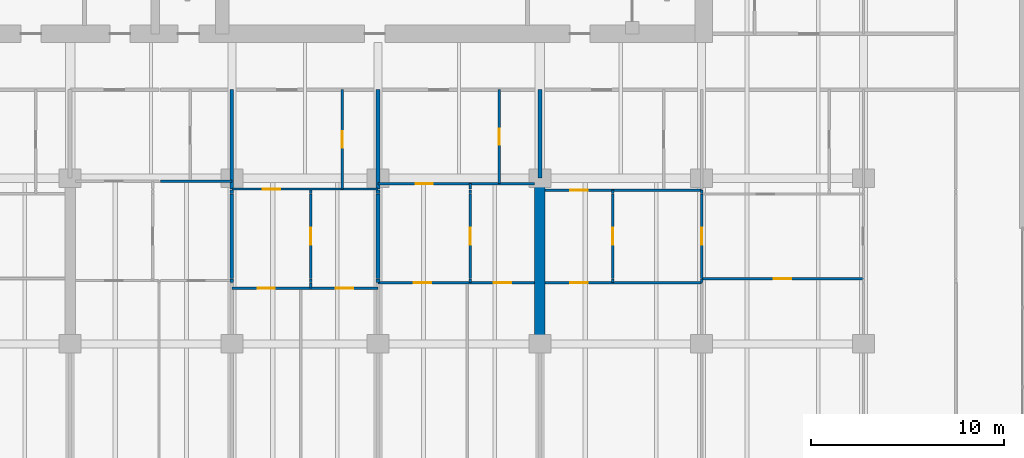
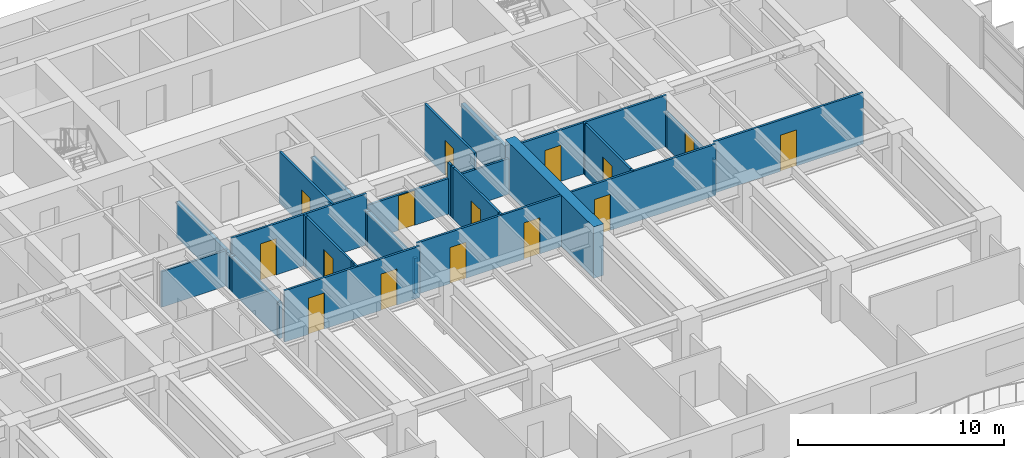
# One storey, part 9 of 18: 34 walls, 15 doors, 15 openings.
"""IFC4 building model written with IfcOpenShell, lengths in metres."""

from ifc_helpers import new_model, si_unit, direction, frame, frame_2d, origin, place, context, subcontext, project, spatial, rectangle, extrude, material, layer, layer_set, type_object, element, fill, save


model = new_model("IFC4")

# Units and contexts
model_context = context("Model", 3, precision=1e-05, world=origin(), true_north=direction((0.0, 1.0)))
body_context = subcontext(model_context, "Body", "Model", "MODEL_VIEW")
ifc_project = project(units=[si_unit("LENGTHUNIT", "METRE"), si_unit("AREAUNIT", "SQUARE_METRE"), si_unit("VOLUMEUNIT", "CUBIC_METRE"), si_unit("PLANEANGLEUNIT", "RADIAN"), si_unit("MASSUNIT", "GRAM", prefix="KILO")], contexts=[model_context])

# Site, building, storey
site_placement = place(None, origin())
site = spatial("IfcSite", under=ifc_project, at=site_placement, CompositionType="ELEMENT")
building_placement = place(site_placement, origin())
building = spatial("IfcBuilding", under=site, at=building_placement, Name="Caelmar Bay Residences", CompositionType="ELEMENT")
storey_placement = place(building_placement, frame((0.0, 0.0, 43.199951171875)))
storey = spatial("IfcBuildingStorey", under=building, at=storey_placement, Name="L10", CompositionType="ELEMENT", Elevation=43.199951171875)

# Walls
ifc_material_1 = material(Name="Concrete f'c 70 MPa (10,000 psi)", Category="concrete")
ifc_layer_1 = layer(ifc_material_1, 0.550048828125)
ifc_layer_set_1 = layer_set([ifc_layer_1], Name="Concrete f'c 70 MPa (10,000 psi)")
wall_type_1 = type_object("IfcWallType", Name="SW-XSLB-550", PredefinedType="SHEAR", material=ifc_layer_set_1)
wall_1_placement = place(storey_placement, frame((51.10009765625, 20.800048828125, 0.0), z_axis=(0.0, 0.0, 1.0), x_axis=(0.0, 1.0, 0.0)))
element("IfcWall", 1, at=wall_1_placement, inside=storey, type_object=wall_type_1, Name="L10 Transverse Cross-Slab Shear Wall E8", PredefinedType="SHEAR", context=body_context, shape_type="SweptSolid", body=[
    extrude(rectangle(XDim=8.599853515625, YDim=0.550048828125, at=frame_2d((4.2998046875, 0.0))), origin(), (0.0, 0.0, 1.0), 3.050048828125),
])
ifc_material_2 = material(Name="Acoustic metal-stud gypsum partition 120 mm")
ifc_layer_2 = layer(ifc_material_2, 0.1201171875)
ifc_layer_set_2 = layer_set([ifc_layer_2], Name="Acoustic metal-stud gypsum partition 120 mm")
wall_type_2 = type_object("IfcWallType", Name="W-PRT-120", PredefinedType="PARTITIONING", material=ifc_layer_set_2)
wall_2_placement = place(storey_placement, frame((39.2041015625, 23.68994140625, 0.0), z_axis=(0.0, 0.0, 1.0), x_axis=(0.0, 1.0, 0.0)))
element("IfcWall", 2, at=wall_2_placement, inside=storey, type_object=wall_type_2, Name="L10 Partition Wall V055", PredefinedType="PARTITIONING", context=body_context, shape_type="SweptSolid", body=[
    extrude(rectangle(XDim=0.280029296875, YDim=0.1201171875, at=frame_2d((0.14013671875, 0.0))), origin(), (0.0, 0.0, 1.0), 3.050048828125),
])
wall_3_placement = place(storey_placement, frame((39.2041015625, 24.0, 0.0), z_axis=(0.0, 0.0, 1.0), x_axis=(0.0, 1.0, 0.0)))
element("IfcWall", 3, at=wall_3_placement, inside=storey, type_object=wall_type_2, Name="L10 Partition Wall V056", PredefinedType="PARTITIONING", context=body_context, shape_type="SweptSolid", body=[
    extrude(rectangle(XDim=0.179931640625, YDim=0.1201171875, at=frame_2d((0.08984375, 0.0))), origin(), (0.0, 0.0, 1.0), 3.050048828125),
])

# Wall, opening, door
wall_4_placement = place(storey_placement, frame((39.2041015625, 24.199951171875, 0.0), z_axis=(0.0, 0.0, 1.0), x_axis=(0.0, 1.0, 0.0)))
wall_4 = element("IfcWall", 4, at=wall_4_placement, inside=storey, type_object=wall_type_2, Name="L10 Partition Wall V057", PredefinedType="PARTITIONING", context=body_context, shape_type="SweptSolid", body=[
    extrude(rectangle(XDim=4.380126953125, YDim=0.1201171875, at=frame_2d((2.18994140625, 0.0))), origin(), (0.0, 0.0, 1.0), 3.050048828125),
])
opening_1_placement = place(wall_4_placement, frame((1.739990234375, 0.0, 0.0)))
opening_1 = element("IfcOpeningElement", 5, at=opening_1_placement, cuts=wall_4, Name="Opening D-L10-144", PredefinedType="OPENING", context=body_context, shape_type="SweptSolid", body=[
    extrude(rectangle(XDim=0.89990234375, YDim=2.14990234375, at=frame_2d((0.449951171875, 1.074951171875))), frame((0.0, 0.070068359375, 0.0), z_axis=(0.0, -1.0, 0.0), x_axis=(1.0, 0.0, 0.0)), (0.0, 0.0, 1.0), 0.14013671875),
])
ifc_material_3 = material(Name="Solid walnut timber interior door leaf and frame", Category="wood")
ifc_layer_3 = layer(ifc_material_3, 0.050048828125)
ifc_layer_set_3 = layer_set([ifc_layer_3], Name="Solid walnut timber interior door leaf and frame")
door_type_1 = type_object("IfcDoorType", Name="D-ROOM-900", OperationType="NOTDEFINED", PredefinedType="DOOR", material=ifc_layer_set_3)
door_1_placement = place(opening_1_placement, origin())
door_1 = element("IfcDoor", 6, at=door_1_placement, inside=storey, type_object=door_type_1, Name="L10 Residence 03 Home Office Door", OperationType="SINGLE_SWING_LEFT", OverallHeight=2.14990234375, OverallWidth=0.89990234375, PredefinedType="DOOR", context=body_context, shape_type="SweptSolid", body=[
    extrude(rectangle(XDim=0.89990234375, YDim=2.14990234375, at=frame_2d((0.449951171875, 1.074951171875))), frame((0.0, 0.02490234375, 0.0), z_axis=(0.0, -1.0, 0.0), x_axis=(1.0, 0.0, 0.0)), (0.0, 0.0, 1.0), 0.050048828125),
])
fill(opening_1, door_1)

# Wall
wall_5_placement = place(storey_placement, frame((39.2041015625, 28.60009765625, 0.0), z_axis=(0.0, 0.0, 1.0), x_axis=(0.0, 1.0, 0.0)))
element("IfcWall", 7, at=wall_5_placement, inside=storey, type_object=wall_type_2, Name="L10 Partition Wall V058", PredefinedType="PARTITIONING", context=body_context, shape_type="SweptSolid", body=[
    extrude(rectangle(XDim=0.179931640625, YDim=0.1201171875, at=frame_2d((0.08984375, 0.0))), origin(), (0.0, 0.0, 1.0), 3.050048828125),
])

# Wall, opening, door
wall_6_placement = place(storey_placement, frame((40.840087890625, 28.840087890625, 0.0), z_axis=(0.0, 0.0, 1.0), x_axis=(0.0, 1.0, 0.0)))
wall_6 = element("IfcWall", 8, at=wall_6_placement, inside=storey, type_object=wall_type_2, Name="L10 Partition Wall V060", PredefinedType="PARTITIONING", context=body_context, shape_type="SweptSolid", body=[
    extrude(rectangle(XDim=5.159912109375, YDim=0.1201171875, at=frame_2d((2.580078125, 0.0))), origin(), (0.0, 0.0, 1.0), 3.050048828125),
])
opening_2_placement = place(wall_6_placement, frame((2.155029296875, 0.0, 0.0)))
opening_2 = element("IfcOpeningElement", 9, at=opening_2_placement, cuts=wall_6, Name="Opening D-L10-142", PredefinedType="OPENING", context=body_context, shape_type="SweptSolid", body=[
    extrude(rectangle(XDim=0.85009765625, YDim=2.10009765625, at=frame_2d((0.425048828125, 1.050048828125))), frame((0.0, 0.070068359375, 0.0), z_axis=(0.0, -1.0, 0.0), x_axis=(1.0, 0.0, 0.0)), (0.0, 0.0, 1.0), 0.14013671875),
])
ifc_layer_4 = layer(ifc_material_3, 0.050048828125)
ifc_layer_set_4 = layer_set([ifc_layer_4], Name="Solid walnut timber interior door leaf and frame")
door_type_2 = type_object("IfcDoorType", Name="D-BATH-850", OperationType="NOTDEFINED", PredefinedType="DOOR", material=ifc_layer_set_4)
door_2_placement = place(opening_2_placement, origin())
door_2 = element("IfcDoor", 10, at=door_2_placement, inside=storey, type_object=door_type_2, Name="L10 Residence 03 Bathroom Door", OperationType="SINGLE_SWING_LEFT", OverallHeight=2.10009765625, OverallWidth=0.85009765625, PredefinedType="DOOR", context=body_context, shape_type="SweptSolid", body=[
    extrude(rectangle(XDim=0.85009765625, YDim=2.10009765625, at=frame_2d((0.425048828125, 1.050048828125))), frame((0.0, 0.02490234375, 0.0), z_axis=(0.0, -1.0, 0.0), x_axis=(1.0, 0.0, 0.0)), (0.0, 0.0, 1.0), 0.050048828125),
])
fill(opening_2, door_2)

# Wall
wall_7_placement = place(storey_placement, frame((47.486083984375, 24.0, 0.0), z_axis=(0.0, 0.0, 1.0), x_axis=(0.0, 1.0, 0.0)))
element("IfcWall", 11, at=wall_7_placement, inside=storey, type_object=wall_type_2, Name="L10 Partition Wall V072", PredefinedType="PARTITIONING", context=body_context, shape_type="SweptSolid", body=[
    extrude(rectangle(XDim=0.179931640625, YDim=0.1201171875, at=frame_2d((0.08984375, 0.0))), origin(), (0.0, 0.0, 1.0), 3.050048828125),
])

# Wall, opening, door
wall_8_placement = place(storey_placement, frame((47.486083984375, 24.199951171875, 0.0), z_axis=(0.0, 0.0, 1.0), x_axis=(0.0, 1.0, 0.0)))
wall_8 = element("IfcWall", 12, at=wall_8_placement, inside=storey, type_object=wall_type_2, Name="L10 Partition Wall V073", PredefinedType="PARTITIONING", context=body_context, shape_type="SweptSolid", body=[
    extrude(rectangle(XDim=4.380126953125, YDim=0.1201171875, at=frame_2d((2.18994140625, 0.0))), origin(), (0.0, 0.0, 1.0), 3.050048828125),
])
opening_3_placement = place(wall_8_placement, frame((1.739990234375, 0.0, 0.0)))
opening_3 = element("IfcOpeningElement", 13, at=opening_3_placement, cuts=wall_8, Name="Opening D-L10-151", PredefinedType="OPENING", context=body_context, shape_type="SweptSolid", body=[
    extrude(rectangle(XDim=0.89990234375, YDim=2.14990234375, at=frame_2d((0.449951171875, 1.074951171875))), frame((0.0, 0.070068359375, 0.0), z_axis=(0.0, -1.0, 0.0), x_axis=(1.0, 0.0, 0.0)), (0.0, 0.0, 1.0), 0.14013671875),
])
door_3_placement = place(opening_3_placement, origin())
door_3 = element("IfcDoor", 14, at=door_3_placement, inside=storey, type_object=door_type_1, Name="L10 Residence 04 Home Office Door", OperationType="SINGLE_SWING_RIGHT", OverallHeight=2.14990234375, OverallWidth=0.89990234375, PredefinedType="DOOR", context=body_context, shape_type="SweptSolid", body=[
    extrude(rectangle(XDim=0.89990234375, YDim=2.14990234375, at=frame_2d((0.449951171875, 1.074951171875))), frame((0.0, 0.02490234375, 0.0), z_axis=(0.0, -1.0, 0.0), x_axis=(1.0, 0.0, 0.0)), (0.0, 0.0, 1.0), 0.050048828125),
])
fill(opening_3, door_3)

# Walls
wall_9_placement = place(storey_placement, frame((47.486083984375, 28.60009765625, 0.0), z_axis=(0.0, 0.0, 1.0), x_axis=(0.0, 1.0, 0.0)))
element("IfcWall", 15, at=wall_9_placement, inside=storey, type_object=wall_type_2, Name="L10 Partition Wall V074", PredefinedType="PARTITIONING", context=body_context, shape_type="SweptSolid", body=[
    extrude(rectangle(XDim=0.179931640625, YDim=0.1201171875, at=frame_2d((0.08984375, 0.0))), origin(), (0.0, 0.0, 1.0), 3.050048828125),
])
wall_10_placement = place(storey_placement, frame((47.486083984375, 28.840087890625, 0.0), z_axis=(0.0, 0.0, 1.0), x_axis=(0.0, 1.0, 0.0)))
element("IfcWall", 16, at=wall_10_placement, inside=storey, type_object=wall_type_2, Name="L10 Partition Wall V075", PredefinedType="PARTITIONING", context=body_context, shape_type="SweptSolid", body=[
    extrude(rectangle(XDim=0.280029296875, YDim=0.1201171875, at=frame_2d((0.14013671875, 0.0))), origin(), (0.0, 0.0, 1.0), 3.050048828125),
])

# Wall, opening, door
wall_11_placement = place(storey_placement, frame((48.989013671875, 29.1201171875, 0.0), z_axis=(0.0, 0.0, 1.0), x_axis=(0.0, 1.0, 0.0)))
wall_11 = element("IfcWall", 17, at=wall_11_placement, inside=storey, type_object=wall_type_2, Name="L10 Partition Wall V077", PredefinedType="PARTITIONING", context=body_context, shape_type="SweptSolid", body=[
    extrude(rectangle(XDim=4.8798828125, YDim=0.1201171875, at=frame_2d((2.43994140625, 0.0))), origin(), (0.0, 0.0, 1.0), 3.050048828125),
])
opening_4_placement = place(wall_11_placement, frame((2.014892578125, 0.0, 0.0)))
opening_4 = element("IfcOpeningElement", 18, at=opening_4_placement, cuts=wall_11, Name="Opening D-L10-149", PredefinedType="OPENING", context=body_context, shape_type="SweptSolid", body=[
    extrude(rectangle(XDim=0.85009765625, YDim=2.10009765625, at=frame_2d((0.425048828125, 1.050048828125))), frame((0.0, 0.070068359375, 0.0), z_axis=(0.0, -1.0, 0.0), x_axis=(1.0, 0.0, 0.0)), (0.0, 0.0, 1.0), 0.14013671875),
])
door_4_placement = place(opening_4_placement, origin())
door_4 = element("IfcDoor", 19, at=door_4_placement, inside=storey, type_object=door_type_2, Name="L10 Residence 04 Bathroom Door", OperationType="SINGLE_SWING_RIGHT", OverallHeight=2.10009765625, OverallWidth=0.85009765625, PredefinedType="DOOR", context=body_context, shape_type="SweptSolid", body=[
    extrude(rectangle(XDim=0.85009765625, YDim=2.10009765625, at=frame_2d((0.425048828125, 1.050048828125))), frame((0.0, 0.02490234375, 0.0), z_axis=(0.0, -1.0, 0.0), x_axis=(1.0, 0.0, 0.0)), (0.0, 0.0, 1.0), 0.050048828125),
])
fill(opening_4, door_4)

# Wall
wall_12_placement = place(storey_placement, frame((54.8798828125, 24.0, 0.0), z_axis=(0.0, 0.0, 1.0), x_axis=(0.0, 1.0, 0.0)))
element("IfcWall", 20, at=wall_12_placement, inside=storey, type_object=wall_type_2, Name="L10 Partition Wall V085", PredefinedType="PARTITIONING", context=body_context, shape_type="SweptSolid", body=[
    extrude(rectangle(XDim=0.179931640625, YDim=0.1201171875, at=frame_2d((0.08984375, 0.0))), origin(), (0.0, 0.0, 1.0), 3.050048828125),
])

# Wall, opening, door
wall_13_placement = place(storey_placement, frame((54.8798828125, 24.199951171875, 0.0), z_axis=(0.0, 0.0, 1.0), x_axis=(0.0, 1.0, 0.0)))
wall_13 = element("IfcWall", 21, at=wall_13_placement, inside=storey, type_object=wall_type_2, Name="L10 Partition Wall V086", PredefinedType="PARTITIONING", context=body_context, shape_type="SweptSolid", body=[
    extrude(rectangle(XDim=4.380126953125, YDim=0.1201171875, at=frame_2d((2.18994140625, 0.0))), origin(), (0.0, 0.0, 1.0), 3.050048828125),
])
opening_5_placement = place(wall_13_placement, frame((1.739990234375, 0.0, 0.0)))
opening_5 = element("IfcOpeningElement", 22, at=opening_5_placement, cuts=wall_13, Name="Opening D-L10-158", PredefinedType="OPENING", context=body_context, shape_type="SweptSolid", body=[
    extrude(rectangle(XDim=0.89990234375, YDim=2.14990234375, at=frame_2d((0.449951171875, 1.074951171875))), frame((0.0, 0.070068359375, 0.0), z_axis=(0.0, -1.0, 0.0), x_axis=(1.0, 0.0, 0.0)), (0.0, 0.0, 1.0), 0.14013671875),
])
door_5_placement = place(opening_5_placement, origin())
door_5 = element("IfcDoor", 23, at=door_5_placement, inside=storey, type_object=door_type_1, Name="L10 Residence 05 Kitchen Door", OperationType="SINGLE_SWING_LEFT", OverallHeight=2.14990234375, OverallWidth=0.89990234375, PredefinedType="DOOR", context=body_context, shape_type="SweptSolid", body=[
    extrude(rectangle(XDim=0.89990234375, YDim=2.14990234375, at=frame_2d((0.449951171875, 1.074951171875))), frame((0.0, 0.02490234375, 0.0), z_axis=(0.0, -1.0, 0.0), x_axis=(1.0, 0.0, 0.0)), (0.0, 0.0, 1.0), 0.050048828125),
])
fill(opening_5, door_5)

# Walls
wall_14_placement = place(storey_placement, frame((54.8798828125, 28.60009765625, 0.0), z_axis=(0.0, 0.0, 1.0), x_axis=(0.0, 1.0, 0.0)))
element("IfcWall", 24, at=wall_14_placement, inside=storey, type_object=wall_type_2, Name="L10 Partition Wall V087", PredefinedType="PARTITIONING", context=body_context, shape_type="SweptSolid", body=[
    extrude(rectangle(XDim=0.179931640625, YDim=0.1201171875, at=frame_2d((0.08984375, 0.0))), origin(), (0.0, 0.0, 1.0), 3.050048828125),
])
wall_15_placement = place(storey_placement, frame((59.5, 24.0, 0.0), z_axis=(0.0, 0.0, 1.0), x_axis=(0.0, 1.0, 0.0)))
element("IfcWall", 25, at=wall_15_placement, inside=storey, type_object=wall_type_2, Name="L10 Partition Wall V092", PredefinedType="PARTITIONING", context=body_context, shape_type="SweptSolid", body=[
    extrude(rectangle(XDim=0.179931640625, YDim=0.1201171875, at=frame_2d((0.08984375, 0.0))), origin(), (0.0, 0.0, 1.0), 2.110107421875),
])

# Wall, opening, door
wall_16_placement = place(storey_placement, frame((59.5, 24.199951171875, 0.0), z_axis=(0.0, 0.0, 1.0), x_axis=(0.0, 1.0, 0.0)))
wall_16 = element("IfcWall", 26, at=wall_16_placement, inside=storey, type_object=wall_type_2, Name="L10 Partition Wall V093", PredefinedType="PARTITIONING", context=body_context, shape_type="SweptSolid", body=[
    extrude(rectangle(XDim=4.380126953125, YDim=0.1201171875, at=frame_2d((2.18994140625, 0.0))), origin(), (0.0, 0.0, 1.0), 2.110107421875),
])
opening_6_placement = place(wall_16_placement, frame((1.739990234375, 0.0, 0.0)))
opening_6 = element("IfcOpeningElement", 27, at=opening_6_placement, cuts=wall_16, Name="Opening D-L10-160", PredefinedType="OPENING", context=body_context, shape_type="SweptSolid", body=[
    extrude(rectangle(XDim=0.89990234375, YDim=2.06005859375, at=frame_2d((0.449951171875, 1.030029296875))), frame((0.0, 0.070068359375, 0.0), z_axis=(0.0, -1.0, 0.0), x_axis=(1.0, 0.0, 0.0)), (0.0, 0.0, 1.0), 0.14013671875),
])
door_6_placement = place(opening_6_placement, origin())
door_6 = element("IfcDoor", 28, at=door_6_placement, inside=storey, type_object=door_type_1, Name="L10 Residence 05 Library Study 1 Door", OperationType="SINGLE_SWING_LEFT", OverallHeight=2.06005859375, OverallWidth=0.89990234375, PredefinedType="DOOR", context=body_context, shape_type="SweptSolid", body=[
    extrude(rectangle(XDim=0.89990234375, YDim=2.06005859375, at=frame_2d((0.449951171875, 1.030029296875))), frame((0.0, 0.02490234375, 0.0), z_axis=(0.0, -1.0, 0.0), x_axis=(1.0, 0.0, 0.0)), (0.0, 0.0, 1.0), 0.050048828125),
])
fill(opening_6, door_6)

# Wall
wall_17_placement = place(storey_placement, frame((59.5, 28.60009765625, 0.0), z_axis=(0.0, 0.0, 1.0), x_axis=(0.0, 1.0, 0.0)))
element("IfcWall", 29, at=wall_17_placement, inside=storey, type_object=wall_type_2, Name="L10 Partition Wall V094", PredefinedType="PARTITIONING", context=body_context, shape_type="SweptSolid", body=[
    extrude(rectangle(XDim=0.179931640625, YDim=0.1201171875, at=frame_2d((0.08984375, 0.0))), origin(), (0.0, 0.0, 1.0), 2.110107421875),
])

# Wall, openings, doors
wall_18_placement = place(storey_placement, frame((35.10009765625, 23.68994140625, 0.0), z_axis=(0.0, 0.0, 1.0), x_axis=(1.0, 0.0, 0.0)))
wall_18 = element("IfcWall", 30, at=wall_18_placement, inside=storey, type_object=wall_type_2, Name="L10 Partition Wall H118", PredefinedType="PARTITIONING", context=body_context, shape_type="SweptSolid", body=[
    extrude(rectangle(XDim=7.599853515625, YDim=0.1201171875, at=frame_2d((3.7998046875, 0.0))), origin(), (0.0, 0.0, 1.0), 3.050048828125),
])
opening_7_placement = place(wall_18_placement, frame((1.3359375, 0.0, 0.0)))
opening_7 = element("IfcOpeningElement", 31, at=opening_7_placement, cuts=wall_18, Name="Opening D-L10-145", PredefinedType="OPENING", context=body_context, shape_type="SweptSolid", body=[
    extrude(rectangle(XDim=0.89990234375, YDim=2.14990234375, at=frame_2d((0.449951171875, 1.074951171875))), frame((0.0, 0.070068359375, 0.0), z_axis=(0.0, -1.0, 0.0), x_axis=(1.0, 0.0, 0.0)), (0.0, 0.0, 1.0), 0.14013671875),
])
opening_8_placement = place(wall_18_placement, frame((5.402099609375, 0.0, 0.0)))
opening_8 = element("IfcOpeningElement", 32, at=opening_8_placement, cuts=wall_18, Name="Opening D-L10-146", PredefinedType="OPENING", context=body_context, shape_type="SweptSolid", body=[
    extrude(rectangle(XDim=0.89990234375, YDim=2.14990234375, at=frame_2d((0.449951171875, 1.074951171875))), frame((0.0, 0.070068359375, 0.0), z_axis=(0.0, -1.0, 0.0), x_axis=(1.0, 0.0, 0.0)), (0.0, 0.0, 1.0), 0.14013671875),
])
door_7_placement = place(opening_7_placement, origin())
door_7 = element("IfcDoor", 33, at=door_7_placement, inside=storey, type_object=door_type_1, Name="L10 Residence 03 Living Room Door", OperationType="SINGLE_SWING_RIGHT", OverallHeight=2.14990234375, OverallWidth=0.89990234375, PredefinedType="DOOR", context=body_context, shape_type="SweptSolid", body=[
    extrude(rectangle(XDim=0.89990234375, YDim=2.14990234375, at=frame_2d((0.449951171875, 1.074951171875))), frame((0.0, 0.02490234375, 0.0), z_axis=(0.0, -1.0, 0.0), x_axis=(1.0, 0.0, 0.0)), (0.0, 0.0, 1.0), 0.050048828125),
])
fill(opening_7, door_7)
door_8_placement = place(opening_8_placement, origin())
door_8 = element("IfcDoor", 34, at=door_8_placement, inside=storey, type_object=door_type_1, Name="L10 Residence 03 Penthouse Sitting Room Door", OperationType="SINGLE_SWING_LEFT", OverallHeight=2.14990234375, OverallWidth=0.89990234375, PredefinedType="DOOR", context=body_context, shape_type="SweptSolid", body=[
    extrude(rectangle(XDim=0.89990234375, YDim=2.14990234375, at=frame_2d((0.449951171875, 1.074951171875))), frame((0.0, 0.02490234375, 0.0), z_axis=(0.0, -1.0, 0.0), x_axis=(1.0, 0.0, 0.0)), (0.0, 0.0, 1.0), 0.050048828125),
])
fill(opening_8, door_8)

wall_19_placement = place(storey_placement, frame((42.699951171875, 23.969970703125, 0.0), z_axis=(0.0, 0.0, 1.0), x_axis=(1.0, 0.0, 0.0)))
wall_19 = element("IfcWall", 35, at=wall_19_placement, inside=storey, type_object=wall_type_2, Name="L10 Partition Wall H119", PredefinedType="PARTITIONING", context=body_context, shape_type="SweptSolid", body=[
    extrude(rectangle(XDim=8.130126953125, YDim=0.1201171875, at=frame_2d((4.06494140625, 0.0))), origin(), (0.0, 0.0, 1.0), 3.050048828125),
])
opening_9_placement = place(wall_19_placement, frame((1.860107421875, 0.0, 0.0)))
opening_9 = element("IfcOpeningElement", 36, at=opening_9_placement, cuts=wall_19, Name="Opening D-L10-152", PredefinedType="OPENING", context=body_context, shape_type="SweptSolid", body=[
    extrude(rectangle(XDim=0.89990234375, YDim=2.14990234375, at=frame_2d((0.449951171875, 1.074951171875))), frame((0.0, 0.070068359375, 0.0), z_axis=(0.0, -1.0, 0.0), x_axis=(1.0, 0.0, 0.0)), (0.0, 0.0, 1.0), 0.14013671875),
])
opening_10_placement = place(wall_19_placement, frame((6.008056640625, 0.0, 0.0)))
opening_10 = element("IfcOpeningElement", 37, at=opening_10_placement, cuts=wall_19, Name="Opening D-L10-153", PredefinedType="OPENING", context=body_context, shape_type="SweptSolid", body=[
    extrude(rectangle(XDim=0.89990234375, YDim=2.14990234375, at=frame_2d((0.449951171875, 1.074951171875))), frame((0.0, 0.070068359375, 0.0), z_axis=(0.0, -1.0, 0.0), x_axis=(1.0, 0.0, 0.0)), (0.0, 0.0, 1.0), 0.14013671875),
])
door_9_placement = place(opening_9_placement, origin())
door_9 = element("IfcDoor", 38, at=door_9_placement, inside=storey, type_object=door_type_1, Name="L10 Residence 04 Penthouse Living Salon Door", OperationType="SINGLE_SWING_LEFT", OverallHeight=2.14990234375, OverallWidth=0.89990234375, PredefinedType="DOOR", context=body_context, shape_type="SweptSolid", body=[
    extrude(rectangle(XDim=0.89990234375, YDim=2.14990234375, at=frame_2d((0.449951171875, 1.074951171875))), frame((0.0, 0.02490234375, 0.0), z_axis=(0.0, -1.0, 0.0), x_axis=(1.0, 0.0, 0.0)), (0.0, 0.0, 1.0), 0.050048828125),
])
fill(opening_9, door_9)
door_10_placement = place(opening_10_placement, origin())
door_10 = element("IfcDoor", 39, at=door_10_placement, inside=storey, type_object=door_type_1, Name="L10 Residence 04 Penthouse Sitting Room Door", OperationType="SINGLE_SWING_RIGHT", OverallHeight=2.14990234375, OverallWidth=0.89990234375, PredefinedType="DOOR", context=body_context, shape_type="SweptSolid", body=[
    extrude(rectangle(XDim=0.89990234375, YDim=2.14990234375, at=frame_2d((0.449951171875, 1.074951171875))), frame((0.0, 0.02490234375, 0.0), z_axis=(0.0, -1.0, 0.0), x_axis=(1.0, 0.0, 0.0)), (0.0, 0.0, 1.0), 0.050048828125),
])
fill(opening_10, door_10)

# Wall, opening, door
wall_20_placement = place(storey_placement, frame((51.3701171875, 23.97998046875, 0.0), z_axis=(0.0, 0.0, 1.0), x_axis=(1.0, 0.0, 0.0)))
wall_20 = element("IfcWall", 40, at=wall_20_placement, inside=storey, type_object=wall_type_2, Name="L10 Partition Wall H120", PredefinedType="PARTITIONING", context=body_context, shape_type="SweptSolid", body=[
    extrude(rectangle(XDim=8.1298828125, YDim=0.1201171875, at=frame_2d((4.06494140625, 0.0))), origin(), (0.0, 0.0, 1.0), 3.050048828125),
])
opening_11_placement = place(wall_20_placement, frame((1.304931640625, 0.0, 0.0)))
opening_11 = element("IfcOpeningElement", 41, at=opening_11_placement, cuts=wall_20, Name="Opening D-L10-159", PredefinedType="OPENING", context=body_context, shape_type="SweptSolid", body=[
    extrude(rectangle(XDim=0.89990234375, YDim=2.14990234375, at=frame_2d((0.449951171875, 1.074951171875))), frame((0.0, 0.070068359375, 0.0), z_axis=(0.0, -1.0, 0.0), x_axis=(1.0, 0.0, 0.0)), (0.0, 0.0, 1.0), 0.14013671875),
])
door_11_placement = place(opening_11_placement, origin())
door_11 = element("IfcDoor", 42, at=door_11_placement, inside=storey, type_object=door_type_1, Name="L10 Residence 05 Penthouse Living Salon Door", OperationType="SINGLE_SWING_RIGHT", OverallHeight=2.14990234375, OverallWidth=0.89990234375, PredefinedType="DOOR", context=body_context, shape_type="SweptSolid", body=[
    extrude(rectangle(XDim=0.89990234375, YDim=2.14990234375, at=frame_2d((0.449951171875, 1.074951171875))), frame((0.0, 0.02490234375, 0.0), z_axis=(0.0, -1.0, 0.0), x_axis=(1.0, 0.0, 0.0)), (0.0, 0.0, 1.0), 0.050048828125),
])
fill(opening_11, door_11)

wall_21_placement = place(storey_placement, frame((59.5048828125, 24.179931640625, 0.0), z_axis=(0.0, 0.0, 1.0), x_axis=(1.0, 0.0, 0.0)))
wall_21 = element("IfcWall", 43, at=wall_21_placement, inside=storey, type_object=wall_type_2, Name="L10 Partition Wall H124", PredefinedType="PARTITIONING", context=body_context, shape_type="SweptSolid", body=[
    extrude(rectangle(XDim=8.39501953125, YDim=0.1201171875, at=frame_2d((4.197509765625, 0.0))), origin(), (0.0, 0.0, 1.0), 3.050048828125),
])
opening_12_placement = place(wall_21_placement, frame((3.74755859375, 0.0, 0.0)))
opening_12 = element("IfcOpeningElement", 44, at=opening_12_placement, cuts=wall_21, Name="Opening D-L10-163", PredefinedType="OPENING", context=body_context, shape_type="SweptSolid", body=[
    extrude(rectangle(XDim=0.89990234375, YDim=2.14990234375, at=frame_2d((0.449951171875, 1.074951171875))), frame((0.0, 0.070068359375, 0.0), z_axis=(0.0, -1.0, 0.0), x_axis=(1.0, 0.0, 0.0)), (0.0, 0.0, 1.0), 0.14013671875),
])
door_12_placement = place(opening_12_placement, origin())
door_12 = element("IfcDoor", 45, at=door_12_placement, inside=storey, type_object=door_type_1, Name="L10 Residence 05 Penthouse Sitting Salon 1 Door", OperationType="SINGLE_SWING_RIGHT", OverallHeight=2.14990234375, OverallWidth=0.89990234375, PredefinedType="DOOR", context=body_context, shape_type="SweptSolid", body=[
    extrude(rectangle(XDim=0.89990234375, YDim=2.14990234375, at=frame_2d((0.449951171875, 1.074951171875))), frame((0.0, 0.02490234375, 0.0), z_axis=(0.0, -1.0, 0.0), x_axis=(1.0, 0.0, 0.0)), (0.0, 0.0, 1.0), 0.050048828125),
])
fill(opening_12, door_12)

wall_22_placement = place(storey_placement, frame((51.3701171875, 28.780029296875, 0.0), z_axis=(0.0, 0.0, 1.0), x_axis=(1.0, 0.0, 0.0)))
wall_22 = element("IfcWall", 46, at=wall_22_placement, inside=storey, type_object=wall_type_2, Name="L10 Partition Wall H128", PredefinedType="PARTITIONING", context=body_context, shape_type="SweptSolid", body=[
    extrude(rectangle(XDim=8.1298828125, YDim=0.1201171875, at=frame_2d((4.06494140625, 0.0))), origin(), (0.0, 0.0, 1.0), 3.050048828125),
])
opening_13_placement = place(wall_22_placement, frame((1.304931640625, 0.0, 0.0)))
opening_13 = element("IfcOpeningElement", 47, at=opening_13_placement, cuts=wall_22, Name="Opening D-L10-157", PredefinedType="OPENING", context=body_context, shape_type="SweptSolid", body=[
    extrude(rectangle(XDim=0.89990234375, YDim=2.14990234375, at=frame_2d((0.449951171875, 1.074951171875))), frame((0.0, 0.070068359375, 0.0), z_axis=(0.0, -1.0, 0.0), x_axis=(1.0, 0.0, 0.0)), (0.0, 0.0, 1.0), 0.14013671875),
])
door_13_placement = place(opening_13_placement, origin())
door_13 = element("IfcDoor", 48, at=door_13_placement, inside=storey, type_object=door_type_1, Name="L10 Residence 05 Dining Room Door", OperationType="SINGLE_SWING_RIGHT", OverallHeight=2.14990234375, OverallWidth=0.89990234375, PredefinedType="DOOR", context=body_context, shape_type="SweptSolid", body=[
    extrude(rectangle(XDim=0.89990234375, YDim=2.14990234375, at=frame_2d((0.449951171875, 1.074951171875))), frame((0.0, 0.02490234375, 0.0), z_axis=(0.0, -1.0, 0.0), x_axis=(1.0, 0.0, 0.0)), (0.0, 0.0, 1.0), 0.050048828125),
])
fill(opening_13, door_13)

wall_23_placement = place(storey_placement, frame((35.10009765625, 28.840087890625, 0.0), z_axis=(0.0, 0.0, 1.0), x_axis=(1.0, 0.0, 0.0)))
wall_23 = element("IfcWall", 49, at=wall_23_placement, inside=storey, type_object=wall_type_2, Name="L10 Partition Wall H130", PredefinedType="PARTITIONING", context=body_context, shape_type="SweptSolid", body=[
    extrude(rectangle(XDim=7.599853515625, YDim=0.1201171875, at=frame_2d((3.7998046875, 0.0))), origin(), (0.0, 0.0, 1.0), 3.050048828125),
])
opening_14_placement = place(wall_23_placement, frame((1.60205078125, 0.0, 0.0)))
opening_14 = element("IfcOpeningElement", 50, at=opening_14_placement, cuts=wall_23, Name="Opening D-L10-143", PredefinedType="OPENING", context=body_context, shape_type="SweptSolid", body=[
    extrude(rectangle(XDim=0.89990234375, YDim=2.14990234375, at=frame_2d((0.449951171875, 1.074951171875))), frame((0.0, 0.070068359375, 0.0), z_axis=(0.0, -1.0, 0.0), x_axis=(1.0, 0.0, 0.0)), (0.0, 0.0, 1.0), 0.14013671875),
])
door_14_placement = place(opening_14_placement, origin())
door_14 = element("IfcDoor", 51, at=door_14_placement, inside=storey, type_object=door_type_1, Name="L10 Residence 03 Kitchen Door", OperationType="SINGLE_SWING_RIGHT", OverallHeight=2.14990234375, OverallWidth=0.89990234375, PredefinedType="DOOR", context=body_context, shape_type="SweptSolid", body=[
    extrude(rectangle(XDim=0.89990234375, YDim=2.14990234375, at=frame_2d((0.449951171875, 1.074951171875))), frame((0.0, 0.02490234375, 0.0), z_axis=(0.0, -1.0, 0.0), x_axis=(1.0, 0.0, 0.0)), (0.0, 0.0, 1.0), 0.050048828125),
])
fill(opening_14, door_14)

wall_24_placement = place(storey_placement, frame((42.699951171875, 29.1201171875, 0.0), z_axis=(0.0, 0.0, 1.0), x_axis=(1.0, 0.0, 0.0)))
wall_24 = element("IfcWall", 52, at=wall_24_placement, inside=storey, type_object=wall_type_2, Name="L10 Partition Wall H131", PredefinedType="PARTITIONING", context=body_context, shape_type="SweptSolid", body=[
    extrude(rectangle(XDim=8.130126953125, YDim=0.1201171875, at=frame_2d((4.06494140625, 0.0))), origin(), (0.0, 0.0, 1.0), 2.110107421875),
])
opening_15_placement = place(wall_24_placement, frame((1.943115234375, 0.0, 0.0)))
opening_15 = element("IfcOpeningElement", 53, at=opening_15_placement, cuts=wall_24, Name="Opening D-L10-150", PredefinedType="OPENING", context=body_context, shape_type="SweptSolid", body=[
    extrude(rectangle(XDim=0.89990234375, YDim=2.06005859375, at=frame_2d((0.449951171875, 1.030029296875))), frame((0.0, 0.070068359375, 0.0), z_axis=(0.0, -1.0, 0.0), x_axis=(1.0, 0.0, 0.0)), (0.0, 0.0, 1.0), 0.14013671875),
])
door_15_placement = place(opening_15_placement, origin())
door_15 = element("IfcDoor", 54, at=door_15_placement, inside=storey, type_object=door_type_1, Name="L10 Residence 04 Kitchen Door", OperationType="SINGLE_SWING_LEFT", OverallHeight=2.06005859375, OverallWidth=0.89990234375, PredefinedType="DOOR", context=body_context, shape_type="SweptSolid", body=[
    extrude(rectangle(XDim=0.89990234375, YDim=2.06005859375, at=frame_2d((0.449951171875, 1.030029296875))), frame((0.0, 0.02490234375, 0.0), z_axis=(0.0, -1.0, 0.0), x_axis=(1.0, 0.0, 0.0)), (0.0, 0.0, 1.0), 0.050048828125),
])
fill(opening_15, door_15)

# Walls
wall_25_placement = place(storey_placement, frame((31.39990234375, 29.239990234375, 0.0), z_axis=(0.0, 0.0, 1.0), x_axis=(1.0, 0.0, 0.0)))
element("IfcWall", 55, at=wall_25_placement, inside=storey, type_object=wall_type_2, Name="L10 Partition Wall H133", PredefinedType="PARTITIONING", context=body_context, shape_type="SweptSolid", body=[
    extrude(rectangle(XDim=3.7001953125, YDim=0.1201171875, at=frame_2d((1.85009765625, 0.0))), origin(), (0.0, 0.0, 1.0), 2.110107421875),
])
ifc_material_4 = material(Name="Acoustic twin-stud fire-rated inter-tenancy partition 200 mm")
ifc_layer_5 = layer(ifc_material_4, 0.199951171875)
ifc_layer_set_5 = layer_set([ifc_layer_5], Name="Acoustic twin-stud fire-rated inter-tenancy partition 200 mm")
wall_type_3 = type_object("IfcWallType", Name="W-PTY-200", PredefinedType="PARTITIONING", material=ifc_layer_set_5)
wall_26_placement = place(storey_placement, frame((35.10009765625, 24.0, 0.0), z_axis=(0.0, 0.0, 1.0), x_axis=(0.0, 1.0, 0.0)))
element("IfcWall", 56, at=wall_26_placement, inside=storey, type_object=wall_type_3, Name="L10 Partition Wall V047", PredefinedType="PARTITIONING", context=body_context, shape_type="SweptSolid", body=[
    extrude(rectangle(XDim=0.179931640625, YDim=0.199951171875, at=frame_2d((0.08984375, 0.0))), origin(), (0.0, 0.0, 1.0), 2.110107421875),
])
wall_27_placement = place(storey_placement, frame((35.10009765625, 24.199951171875, 0.0), z_axis=(0.0, 0.0, 1.0), x_axis=(0.0, 1.0, 0.0)))
element("IfcWall", 57, at=wall_27_placement, inside=storey, type_object=wall_type_3, Name="L10 Partition Wall V048", PredefinedType="PARTITIONING", context=body_context, shape_type="SweptSolid", body=[
    extrude(rectangle(XDim=4.380126953125, YDim=0.199951171875, at=frame_2d((2.18994140625, 0.0))), origin(), (0.0, 0.0, 1.0), 2.110107421875),
])
wall_28_placement = place(storey_placement, frame((35.10009765625, 28.60009765625, 0.0), z_axis=(0.0, 0.0, 1.0), x_axis=(0.0, 1.0, 0.0)))
element("IfcWall", 58, at=wall_28_placement, inside=storey, type_object=wall_type_3, Name="L10 Partition Wall V049", PredefinedType="PARTITIONING", context=body_context, shape_type="SweptSolid", body=[
    extrude(rectangle(XDim=0.179931640625, YDim=0.199951171875, at=frame_2d((0.08984375, 0.0))), origin(), (0.0, 0.0, 1.0), 2.110107421875),
])
wall_29_placement = place(storey_placement, frame((35.10009765625, 28.840087890625, 0.0), z_axis=(0.0, 0.0, 1.0), x_axis=(0.0, 1.0, 0.0)))
element("IfcWall", 59, at=wall_29_placement, inside=storey, type_object=wall_type_3, Name="L10 Partition Wall V050", PredefinedType="PARTITIONING", context=body_context, shape_type="SweptSolid", body=[
    extrude(rectangle(XDim=5.159912109375, YDim=0.199951171875, at=frame_2d((2.580078125, 0.0))), origin(), (0.0, 0.0, 1.0), 2.110107421875),
])
wall_30_placement = place(storey_placement, frame((42.699951171875, 24.0, 0.0), z_axis=(0.0, 0.0, 1.0), x_axis=(0.0, 1.0, 0.0)))
element("IfcWall", 60, at=wall_30_placement, inside=storey, type_object=wall_type_3, Name="L10 Partition Wall V063", PredefinedType="PARTITIONING", context=body_context, shape_type="SweptSolid", body=[
    extrude(rectangle(XDim=0.179931640625, YDim=0.199951171875, at=frame_2d((0.08984375, 0.0))), origin(), (0.0, 0.0, 1.0), 2.110107421875),
])
wall_31_placement = place(storey_placement, frame((42.699951171875, 24.199951171875, 0.0), z_axis=(0.0, 0.0, 1.0), x_axis=(0.0, 1.0, 0.0)))
element("IfcWall", 61, at=wall_31_placement, inside=storey, type_object=wall_type_3, Name="L10 Partition Wall V064", PredefinedType="PARTITIONING", context=body_context, shape_type="SweptSolid", body=[
    extrude(rectangle(XDim=4.380126953125, YDim=0.199951171875, at=frame_2d((2.18994140625, 0.0))), origin(), (0.0, 0.0, 1.0), 2.110107421875),
])
wall_32_placement = place(storey_placement, frame((42.699951171875, 28.60009765625, 0.0), z_axis=(0.0, 0.0, 1.0), x_axis=(0.0, 1.0, 0.0)))
element("IfcWall", 62, at=wall_32_placement, inside=storey, type_object=wall_type_3, Name="L10 Partition Wall V065", PredefinedType="PARTITIONING", context=body_context, shape_type="SweptSolid", body=[
    extrude(rectangle(XDim=0.179931640625, YDim=0.199951171875, at=frame_2d((0.08984375, 0.0))), origin(), (0.0, 0.0, 1.0), 2.110107421875),
])
wall_33_placement = place(storey_placement, frame((42.699951171875, 28.840087890625, 0.0), z_axis=(0.0, 0.0, 1.0), x_axis=(0.0, 1.0, 0.0)))
element("IfcWall", 63, at=wall_33_placement, inside=storey, type_object=wall_type_3, Name="L10 Partition Wall V066", PredefinedType="PARTITIONING", context=body_context, shape_type="SweptSolid", body=[
    extrude(rectangle(XDim=5.159912109375, YDim=0.199951171875, at=frame_2d((2.580078125, 0.0))), origin(), (0.0, 0.0, 1.0), 2.110107421875),
])
wall_34_placement = place(storey_placement, frame((51.10009765625, 29.405029296875, 0.0), z_axis=(0.0, 0.0, 1.0), x_axis=(0.0, 1.0, 0.0)))
element("IfcWall", 64, at=wall_34_placement, inside=storey, type_object=wall_type_3, Name="L10 Partition Wall V082", PredefinedType="PARTITIONING", context=body_context, shape_type="SweptSolid", body=[
    extrude(rectangle(XDim=4.594970703125, YDim=0.199951171875, at=frame_2d((2.29736328125, 0.0))), origin(), (0.0, 0.0, 1.0), 2.3349609375),
])

save(model, "model.ifc")
